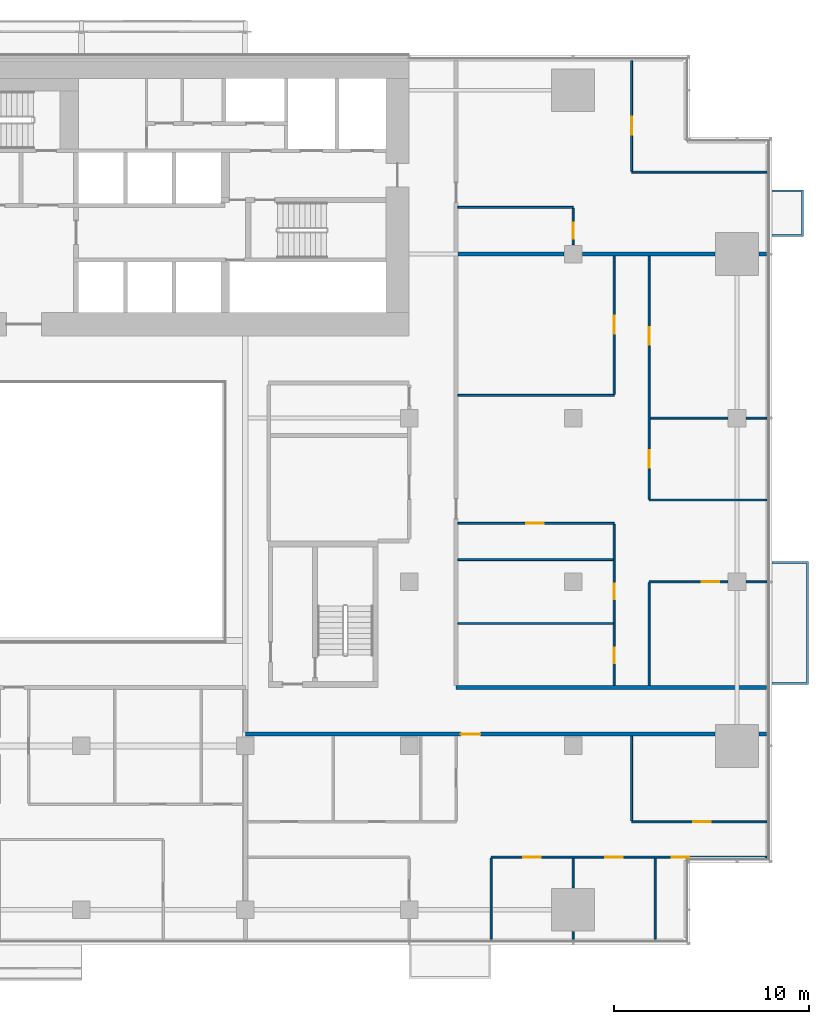
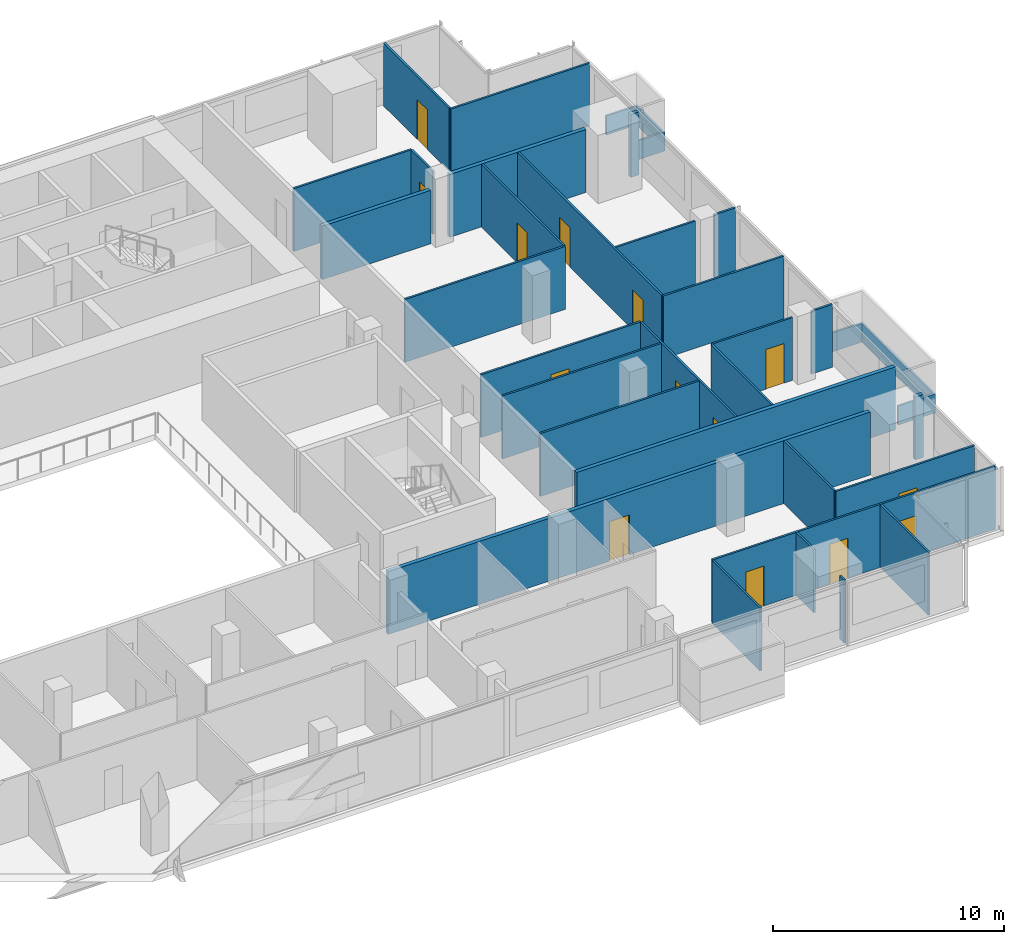
# One storey, part 23 of 26: 32 walls, 14 doors, 14 openings.
"""IFC4 building model written with IfcOpenShell, lengths in metres."""

from ifc_helpers import new_model, si_unit, direction, frame, frame_2d, origin, place, context, subcontext, project, spatial, polyline, rectangle, outline, extrude, material, layer, layer_set, type_object, element, fill, save


model = new_model("IFC4")

# Units and contexts
model_context = context("Model", 3, precision=1e-05, world=origin(), true_north=direction((0.0, 1.0)))
body_context = subcontext(model_context, "Body", "Model", "MODEL_VIEW")
ifc_project = project(units=[si_unit("LENGTHUNIT", "METRE"), si_unit("AREAUNIT", "SQUARE_METRE"), si_unit("VOLUMEUNIT", "CUBIC_METRE"), si_unit("PLANEANGLEUNIT", "RADIAN"), si_unit("MASSUNIT", "GRAM", prefix="KILO")], contexts=[model_context])

# Site, building, storey
site_placement = place(None, origin())
site = spatial("IfcSite", under=ifc_project, at=site_placement, CompositionType="ELEMENT")
building_placement = place(site_placement, origin())
building = spatial("IfcBuilding", under=site, at=building_placement, Name="Saffron Gate Tower", CompositionType="ELEMENT")
storey_placement = place(building_placement, frame((0.0, 0.0, 62.39990234375)))
storey = spatial("IfcBuildingStorey", under=building, at=storey_placement, Name="L14", CompositionType="ELEMENT", Elevation=62.39990234375)

# Wall, openings, doors
ifc_material_1 = material(Name="Plasterboard on steel studs", Category="steel")
ifc_layer_1 = layer(ifc_material_1, 0.10009765625)
ifc_layer_set_1 = layer_set([ifc_layer_1], Name="PW1 Partition 100")
wall_type_1 = type_object("IfcWallType", Name="PW1 Partition 100", PredefinedType="PARTITIONING", material=ifc_layer_set_1)
wall_1_placement = place(storey_placement, frame((126.919921875, 34.5, 0.0), z_axis=(0.0, 0.0, 1.0), x_axis=(-1.0, 0.0, 0.0)))
wall_1 = element("IfcWall", 1, at=wall_1_placement, inside=storey, type_object=wall_type_1, Name="Partition A3-3", PredefinedType="PARTITIONING", context=body_context, shape_type="SweptSolid", body=[
    extrude(rectangle(XDim=14.119873046875, YDim=0.10009765625, at=frame_2d((7.06005859375, 0.0))), origin(), (0.0, 0.0, 1.0), 3.320068359375),
])
opening_1_placement = place(wall_1_placement, frame((3.96630859375, 0.0, 0.0)))
opening_1 = element("IfcOpeningElement", 2, at=opening_1_placement, cuts=wall_1, Name="Opening A3-22", PredefinedType="OPENING", context=body_context, shape_type="SweptSolid", body=[
    extrude(rectangle(XDim=0.89990234375, YDim=2.10009765625, at=frame_2d((0.449951171875, 1.050048828125))), frame((0.0, 0.06005859375, 0.0), z_axis=(0.0, -1.0, 0.0), x_axis=(1.0, 0.0, 0.0)), (0.0, 0.0, 1.0), 0.1201171875),
])
opening_2_placement = place(wall_1_placement, frame((7.3701171875, 0.0, 0.0)))
opening_2 = element("IfcOpeningElement", 3, at=opening_2_placement, cuts=wall_1, Name="Opening A3-21", PredefinedType="OPENING", context=body_context, shape_type="SweptSolid", body=[
    extrude(rectangle(XDim=0.89990234375, YDim=2.10009765625, at=frame_2d((0.449951171875, 1.050048828125))), frame((0.0, 0.06005859375, 0.0), z_axis=(0.0, -1.0, 0.0), x_axis=(1.0, 0.0, 0.0)), (0.0, 0.0, 1.0), 0.1201171875),
])
opening_3_placement = place(wall_1_placement, frame((11.570068359375, 0.0, 0.0)))
opening_3 = element("IfcOpeningElement", 4, at=opening_3_placement, cuts=wall_1, Name="Opening A3-20", PredefinedType="OPENING", context=body_context, shape_type="SweptSolid", body=[
    extrude(rectangle(XDim=0.89990234375, YDim=2.10009765625, at=frame_2d((0.449951171875, 1.050048828125))), frame((0.0, 0.06005859375, 0.0), z_axis=(0.0, -1.0, 0.0), x_axis=(1.0, 0.0, 0.0)), (0.0, 0.0, 1.0), 0.1201171875),
])
ifc_material_2 = material(Name="Timber door set", Category="wood")
door_type_1 = type_object("IfcDoorType", Name="RD1 Room door 900x2100", OperationType="NOTDEFINED", PredefinedType="DOOR", material=ifc_material_2)
door_1_placement = place(opening_1_placement, origin())
door_1 = element("IfcDoor", 5, at=door_1_placement, inside=storey, type_object=door_type_1, Name="Door A3-22", OperationType="SINGLE_SWING_RIGHT", OverallHeight=2.10009765625, OverallWidth=0.89990234375, PredefinedType="DOOR", context=body_context, shape_type="SweptSolid", body=[
    extrude(rectangle(XDim=0.89990234375, YDim=2.10009765625, at=frame_2d((0.449951171875, 1.050048828125))), frame((0.0, 0.02490234375, 0.0), z_axis=(0.0, -1.0, 0.0), x_axis=(1.0, 0.0, 0.0)), (0.0, 0.0, 1.0), 0.050048828125),
])
fill(opening_1, door_1)
door_2_placement = place(opening_2_placement, origin())
door_2 = element("IfcDoor", 6, at=door_2_placement, inside=storey, type_object=door_type_1, Name="Door A3-21", OperationType="SINGLE_SWING_RIGHT", OverallHeight=2.10009765625, OverallWidth=0.89990234375, PredefinedType="DOOR", context=body_context, shape_type="SweptSolid", body=[
    extrude(rectangle(XDim=0.89990234375, YDim=2.10009765625, at=frame_2d((0.449951171875, 1.050048828125))), frame((0.0, 0.02490234375, 0.0), z_axis=(0.0, -1.0, 0.0), x_axis=(1.0, 0.0, 0.0)), (0.0, 0.0, 1.0), 0.050048828125),
])
fill(opening_2, door_2)
door_3_placement = place(opening_3_placement, origin())
door_3 = element("IfcDoor", 7, at=door_3_placement, inside=storey, type_object=door_type_1, Name="Door A3-20", OperationType="SINGLE_SWING_LEFT", OverallHeight=2.10009765625, OverallWidth=0.89990234375, PredefinedType="DOOR", context=body_context, shape_type="SweptSolid", body=[
    extrude(rectangle(XDim=0.89990234375, YDim=2.10009765625, at=frame_2d((0.449951171875, 1.050048828125))), frame((0.0, 0.02490234375, 0.0), z_axis=(0.0, -1.0, 0.0), x_axis=(1.0, 0.0, 0.0)), (0.0, 0.0, 1.0), 0.050048828125),
])
fill(opening_3, door_3)

# Wall, opening, door
wall_2_placement = place(storey_placement, frame((120.0, 36.300048828125, 0.0), z_axis=(0.0, 0.0, 1.0), x_axis=(1.0, 0.0, 0.0)))
wall_2 = element("IfcWall", 8, at=wall_2_placement, inside=storey, type_object=wall_type_1, Name="Partition A3-8", PredefinedType="PARTITIONING", context=body_context, shape_type="SweptSolid", body=[
    extrude(rectangle(XDim=6.919921875, YDim=0.10009765625, at=frame_2d((3.4599609375, 0.0))), origin(), (0.0, 0.0, 1.0), 3.320068359375),
])
opening_4_placement = place(wall_2_placement, frame((3.14990234375, 0.0, 0.0)))
opening_4 = element("IfcOpeningElement", 9, at=opening_4_placement, cuts=wall_2, Name="Opening A3-23", PredefinedType="OPENING", context=body_context, shape_type="SweptSolid", body=[
    extrude(rectangle(XDim=0.89990234375, YDim=2.10009765625, at=frame_2d((0.449951171875, 1.050048828125))), frame((0.0, 0.06005859375, 0.0), z_axis=(0.0, -1.0, 0.0), x_axis=(1.0, 0.0, 0.0)), (0.0, 0.0, 1.0), 0.1201171875),
])
door_4_placement = place(opening_4_placement, origin())
door_4 = element("IfcDoor", 10, at=door_4_placement, inside=storey, type_object=door_type_1, Name="Door A3-23", OperationType="SINGLE_SWING_RIGHT", OverallHeight=2.10009765625, OverallWidth=0.89990234375, PredefinedType="DOOR", context=body_context, shape_type="SweptSolid", body=[
    extrude(rectangle(XDim=0.89990234375, YDim=2.10009765625, at=frame_2d((0.449951171875, 1.050048828125))), frame((0.0, 0.02490234375, 0.0), z_axis=(0.0, -1.0, 0.0), x_axis=(1.0, 0.0, 0.0)), (0.0, 0.0, 1.0), 0.050048828125),
])
fill(opening_4, door_4)

# Wall
wall_3_placement = place(storey_placement, frame((111.10009765625, 46.4716796875, 0.0), z_axis=(0.0, 0.0, 1.0), x_axis=(1.0, 0.0, 0.0)))
element("IfcWall", 11, at=wall_3_placement, inside=storey, type_object=wall_type_1, Name="Partition A3-18", PredefinedType="PARTITIONING", context=body_context, shape_type="SweptSolid", body=[
    extrude(rectangle(XDim=7.949951171875, YDim=0.10009765625, at=frame_2d((3.97509765625, 0.0))), origin(), (0.0, 0.0, 1.0), 3.320068359375),
])

# Wall, opening, door
wall_4_placement = place(storey_placement, frame((124.929931640625, 48.60009765625, 0.0), z_axis=(0.0, 0.0, 1.0), x_axis=(-1.0, 0.0, 0.0)))
wall_4 = element("IfcWall", 12, at=wall_4_placement, inside=storey, type_object=wall_type_1, Name="Partition A3-21", PredefinedType="PARTITIONING", context=body_context, shape_type="SweptSolid", body=[
    extrude(rectangle(XDim=4.030029296875, YDim=0.10009765625, at=frame_2d((2.01513671875, 0.0))), origin(), (0.0, 0.0, 1.0), 3.320068359375),
])
opening_5_placement = place(wall_4_placement, frame((0.429931640625, 0.0, 0.0)))
opening_5 = element("IfcOpeningElement", 13, at=opening_5_placement, cuts=wall_4, Name="Opening A3-30", PredefinedType="OPENING", context=body_context, shape_type="SweptSolid", body=[
    extrude(rectangle(XDim=0.89990234375, YDim=2.10009765625, at=frame_2d((0.449951171875, 1.050048828125))), frame((0.0, 0.06005859375, 0.0), z_axis=(0.0, -1.0, 0.0), x_axis=(1.0, 0.0, 0.0)), (0.0, 0.0, 1.0), 0.1201171875),
])
door_5_placement = place(opening_5_placement, origin())
door_5 = element("IfcDoor", 14, at=door_5_placement, inside=storey, type_object=door_type_1, Name="Door A3-30", OperationType="SINGLE_SWING_LEFT", OverallHeight=2.10009765625, OverallWidth=0.89990234375, PredefinedType="DOOR", context=body_context, shape_type="SweptSolid", body=[
    extrude(rectangle(XDim=0.89990234375, YDim=2.10009765625, at=frame_2d((0.449951171875, 1.050048828125))), frame((0.0, 0.02490234375, 0.0), z_axis=(0.0, -1.0, 0.0), x_axis=(1.0, 0.0, 0.0)), (0.0, 0.0, 1.0), 0.050048828125),
])
fill(opening_5, door_5)

# Walls
wall_5_placement = place(storey_placement, frame((125.8701171875, 48.60009765625, 0.0), z_axis=(0.0, 0.0, 1.0), x_axis=(1.0, 0.0, 0.0)))
element("IfcWall", 15, at=wall_5_placement, inside=storey, type_object=wall_type_1, Name="Partition A3-22", PredefinedType="PARTITIONING", context=body_context, shape_type="SweptSolid", body=[
    extrude(rectangle(XDim=1.0498046875, YDim=0.10009765625, at=frame_2d((0.52490234375, 0.0))), origin(), (0.0, 0.0, 1.0), 3.320068359375),
])
wall_6_placement = place(storey_placement, frame((111.10009765625, 49.7431640625, 0.0), z_axis=(0.0, 0.0, 1.0), x_axis=(1.0, 0.0, 0.0)))
element("IfcWall", 16, at=wall_6_placement, inside=storey, type_object=wall_type_1, Name="Partition A3-25", PredefinedType="PARTITIONING", context=body_context, shape_type="SweptSolid", body=[
    extrude(rectangle(XDim=7.949951171875, YDim=0.10009765625, at=frame_2d((3.97509765625, 0.0))), origin(), (0.0, 0.0, 1.0), 3.320068359375),
])

# Wall, opening, door
wall_7_placement = place(storey_placement, frame((119.10009765625, 51.60009765625, 0.0), z_axis=(0.0, 0.0, 1.0), x_axis=(-1.0, 0.0, 0.0)))
wall_7 = element("IfcWall", 17, at=wall_7_placement, inside=storey, type_object=wall_type_1, Name="Partition A3-28", PredefinedType="PARTITIONING", context=body_context, shape_type="SweptSolid", body=[
    extrude(rectangle(XDim=8.0, YDim=0.10009765625, at=frame_2d((4.0, 0.0))), origin(), (0.0, 0.0, 1.0), 3.320068359375),
])
opening_6_placement = place(wall_7_placement, frame((3.60009765625, 0.0, 0.0)))
opening_6 = element("IfcOpeningElement", 18, at=opening_6_placement, cuts=wall_7, Name="Opening A3-34", PredefinedType="OPENING", context=body_context, shape_type="SweptSolid", body=[
    extrude(rectangle(XDim=0.89990234375, YDim=2.10009765625, at=frame_2d((0.449951171875, 1.050048828125))), frame((0.0, 0.06005859375, 0.0), z_axis=(0.0, -1.0, 0.0), x_axis=(1.0, 0.0, 0.0)), (0.0, 0.0, 1.0), 0.1201171875),
])
door_6_placement = place(opening_6_placement, origin())
door_6 = element("IfcDoor", 19, at=door_6_placement, inside=storey, type_object=door_type_1, Name="Door A3-34", OperationType="SINGLE_SWING_RIGHT", OverallHeight=2.10009765625, OverallWidth=0.89990234375, PredefinedType="DOOR", context=body_context, shape_type="SweptSolid", body=[
    extrude(rectangle(XDim=0.89990234375, YDim=2.10009765625, at=frame_2d((0.449951171875, 1.050048828125))), frame((0.0, 0.02490234375, 0.0), z_axis=(0.0, -1.0, 0.0), x_axis=(1.0, 0.0, 0.0)), (0.0, 0.0, 1.0), 0.050048828125),
])
fill(opening_6, door_6)

# Walls
wall_8_placement = place(storey_placement, frame((120.89990234375, 52.800048828125, 0.0), z_axis=(0.0, 0.0, 1.0), x_axis=(1.0, 0.0, 0.0)))
element("IfcWall", 20, at=wall_8_placement, inside=storey, type_object=wall_type_1, Name="Partition A3-30", PredefinedType="PARTITIONING", context=body_context, shape_type="SweptSolid", body=[
    extrude(rectangle(XDim=6.02001953125, YDim=0.10009765625, at=frame_2d((3.010009765625, 0.0))), origin(), (0.0, 0.0, 1.0), 3.320068359375),
])
wall_9_placement = place(storey_placement, frame((120.949951171875, 57.0, 0.0), z_axis=(0.0, 0.0, 1.0), x_axis=(1.0, 0.0, 0.0)))
element("IfcWall", 21, at=wall_9_placement, inside=storey, type_object=wall_type_1, Name="Partition A3-36", PredefinedType="PARTITIONING", context=body_context, shape_type="SweptSolid", body=[
    extrude(rectangle(XDim=3.97998046875, YDim=0.10009765625, at=frame_2d((1.989990234375, 0.0))), origin(), (0.0, 0.0, 1.0), 3.320068359375),
])
wall_10_placement = place(storey_placement, frame((125.8701171875, 57.0, 0.0), z_axis=(0.0, 0.0, 1.0), x_axis=(1.0, 0.0, 0.0)))
element("IfcWall", 22, at=wall_10_placement, inside=storey, type_object=wall_type_1, Name="Partition A3-37", PredefinedType="PARTITIONING", context=body_context, shape_type="SweptSolid", body=[
    extrude(rectangle(XDim=1.0498046875, YDim=0.10009765625, at=frame_2d((0.52490234375, 0.0))), origin(), (0.0, 0.0, 1.0), 3.320068359375),
])
wall_11_placement = place(storey_placement, frame((111.10009765625, 58.16162109375, 0.0), z_axis=(0.0, 0.0, 1.0), x_axis=(1.0, 0.0, 0.0)))
element("IfcWall", 23, at=wall_11_placement, inside=storey, type_object=wall_type_1, Name="Partition A3-38", PredefinedType="PARTITIONING", context=body_context, shape_type="SweptSolid", body=[
    extrude(rectangle(XDim=8.0, YDim=0.10009765625, at=frame_2d((4.0, 0.0))), origin(), (0.0, 0.0, 1.0), 3.320068359375),
])
wall_12_placement = place(storey_placement, frame((111.10009765625, 67.800048828125, 0.0), z_axis=(0.0, 0.0, 1.0), x_axis=(1.0, 0.0, 0.0)))
element("IfcWall", 24, at=wall_12_placement, inside=storey, type_object=wall_type_1, Name="Partition A3-47", PredefinedType="PARTITIONING", context=body_context, shape_type="SweptSolid", body=[
    extrude(rectangle(XDim=5.89990234375, YDim=0.10009765625, at=frame_2d((2.949951171875, 0.0))), origin(), (0.0, 0.0, 1.0), 3.320068359375),
])
wall_13_placement = place(storey_placement, frame((120.0, 69.60009765625, 0.0), z_axis=(0.0, 0.0, 1.0), x_axis=(1.0, 0.0, 0.0)))
element("IfcWall", 25, at=wall_13_placement, inside=storey, type_object=wall_type_1, Name="Partition A3-50", PredefinedType="PARTITIONING", context=body_context, shape_type="SweptSolid", body=[
    extrude(rectangle(XDim=6.919921875, YDim=0.10009765625, at=frame_2d((3.4599609375, 0.0))), origin(), (0.0, 0.0, 1.0), 3.320068359375),
])
wall_14_placement = place(storey_placement, frame((112.800048828125, 34.449951171875, 0.0), z_axis=(0.0, 0.0, 1.0), x_axis=(0.0, -1.0, 0.0)))
element("IfcWall", 26, at=wall_14_placement, inside=storey, type_object=wall_type_1, Name="Partition A3-94", PredefinedType="PARTITIONING", context=body_context, shape_type="SweptSolid", body=[
    extrude(rectangle(XDim=4.169921875, YDim=0.10009765625, at=frame_2d((2.0849609375, 0.0))), origin(), (0.0, 0.0, 1.0), 3.320068359375),
])
wall_15_placement = place(storey_placement, frame((117.0, 30.679931640625, 0.0), z_axis=(0.0, 0.0, 1.0), x_axis=(0.0, -1.0, 0.0)))
element("IfcWall", 27, at=wall_15_placement, inside=storey, type_object=wall_type_1, Name="Partition A3-95", PredefinedType="PARTITIONING", context=body_context, shape_type="SweptSolid", body=[
    extrude(rectangle(XDim=0.39990234375, YDim=0.10009765625, at=frame_2d((0.199951171875, 0.0))), origin(), (0.0, 0.0, 1.0), 3.320068359375),
])
wall_16_placement = place(storey_placement, frame((117.0, 34.449951171875, 0.0), z_axis=(0.0, 0.0, 1.0), x_axis=(0.0, -1.0, 0.0)))
element("IfcWall", 28, at=wall_16_placement, inside=storey, type_object=wall_type_1, Name="Partition A3-96", PredefinedType="PARTITIONING", context=body_context, shape_type="SweptSolid", body=[
    extrude(rectangle(XDim=1.530029296875, YDim=0.10009765625, at=frame_2d((0.76513671875, 0.0))), origin(), (0.0, 0.0, 1.0), 3.320068359375),
])

# Wall, opening, door
wall_17_placement = place(storey_placement, frame((117.0, 65.8701171875, 0.0), z_axis=(0.0, 0.0, 1.0), x_axis=(0.0, 1.0, 0.0)))
wall_17 = element("IfcWall", 29, at=wall_17_placement, inside=storey, type_object=wall_type_1, Name="Partition A3-97", PredefinedType="PARTITIONING", context=body_context, shape_type="SweptSolid", body=[
    extrude(rectangle(XDim=1.8798828125, YDim=0.10009765625, at=frame_2d((0.93994140625, 0.0))), origin(), (0.0, 0.0, 1.0), 3.320068359375),
])
opening_7_placement = place(wall_17_placement, frame((0.330078125, 0.0, 0.0)))
opening_7 = element("IfcOpeningElement", 30, at=opening_7_placement, cuts=wall_17, Name="Opening A3-48", PredefinedType="OPENING", context=body_context, shape_type="SweptSolid", body=[
    extrude(rectangle(XDim=0.800048828125, YDim=2.10009765625, at=frame_2d((0.39990234375, 1.050048828125))), frame((0.0, 0.06005859375, 0.0), z_axis=(0.0, -1.0, 0.0), x_axis=(1.0, 0.0, 0.0)), (0.0, 0.0, 1.0), 0.1201171875),
])
door_type_2 = type_object("IfcDoorType", Name="RD2 Bathroom door 800x2100", OperationType="NOTDEFINED", PredefinedType="DOOR", material=ifc_material_2)
door_7_placement = place(opening_7_placement, origin())
door_7 = element("IfcDoor", 31, at=door_7_placement, inside=storey, type_object=door_type_2, Name="Door A3-48", OperationType="SINGLE_SWING_LEFT", OverallHeight=2.10009765625, OverallWidth=0.800048828125, PredefinedType="DOOR", context=body_context, shape_type="SweptSolid", body=[
    extrude(rectangle(XDim=0.800048828125, YDim=2.10009765625, at=frame_2d((0.39990234375, 1.050048828125))), frame((0.0, 0.02490234375, 0.0), z_axis=(0.0, -1.0, 0.0), x_axis=(1.0, 0.0, 0.0)), (0.0, 0.0, 1.0), 0.050048828125),
])
fill(opening_7, door_7)

# Wall, openings, doors
wall_18_placement = place(storey_placement, frame((119.10009765625, 43.300048828125, 0.0), z_axis=(0.0, 0.0, 1.0), x_axis=(0.0, 1.0, 0.0)))
wall_18 = element("IfcWall", 32, at=wall_18_placement, inside=storey, type_object=wall_type_1, Name="Partition A3-98", PredefinedType="PARTITIONING", context=body_context, shape_type="SweptSolid", body=[
    extrude(rectangle(XDim=8.25, YDim=0.10009765625, at=frame_2d((4.125, 0.0))), origin(), (0.0, 0.0, 1.0), 3.320068359375),
])
opening_8_placement = place(wall_18_placement, frame((1.1357421875, 0.0, 0.0)))
opening_8 = element("IfcOpeningElement", 33, at=opening_8_placement, cuts=wall_18, Name="Opening A3-46", PredefinedType="OPENING", context=body_context, shape_type="SweptSolid", body=[
    extrude(rectangle(XDim=0.800048828125, YDim=2.10009765625, at=frame_2d((0.39990234375, 1.050048828125))), frame((0.0, 0.06005859375, 0.0), z_axis=(0.0, -1.0, 0.0), x_axis=(1.0, 0.0, 0.0)), (0.0, 0.0, 1.0), 0.1201171875),
])
opening_9_placement = place(wall_18_placement, frame((4.407470703125, 0.0, 0.0)))
opening_9 = element("IfcOpeningElement", 34, at=opening_9_placement, cuts=wall_18, Name="Opening A3-47", PredefinedType="OPENING", context=body_context, shape_type="SweptSolid", body=[
    extrude(rectangle(XDim=0.800048828125, YDim=2.10009765625, at=frame_2d((0.39990234375, 1.050048828125))), frame((0.0, 0.06005859375, 0.0), z_axis=(0.0, -1.0, 0.0), x_axis=(1.0, 0.0, 0.0)), (0.0, 0.0, 1.0), 0.1201171875),
])
door_8_placement = place(opening_8_placement, origin())
door_8 = element("IfcDoor", 35, at=door_8_placement, inside=storey, type_object=door_type_2, Name="Door A3-46", OperationType="SINGLE_SWING_LEFT", OverallHeight=2.10009765625, OverallWidth=0.800048828125, PredefinedType="DOOR", context=body_context, shape_type="SweptSolid", body=[
    extrude(rectangle(XDim=0.800048828125, YDim=2.10009765625, at=frame_2d((0.39990234375, 1.050048828125))), frame((0.0, 0.02490234375, 0.0), z_axis=(0.0, -1.0, 0.0), x_axis=(1.0, 0.0, 0.0)), (0.0, 0.0, 1.0), 0.050048828125),
])
fill(opening_8, door_8)
door_9_placement = place(opening_9_placement, origin())
door_9 = element("IfcDoor", 36, at=door_9_placement, inside=storey, type_object=door_type_2, Name="Door A3-47", OperationType="SINGLE_SWING_LEFT", OverallHeight=2.10009765625, OverallWidth=0.800048828125, PredefinedType="DOOR", context=body_context, shape_type="SweptSolid", body=[
    extrude(rectangle(XDim=0.800048828125, YDim=2.10009765625, at=frame_2d((0.39990234375, 1.050048828125))), frame((0.0, 0.02490234375, 0.0), z_axis=(0.0, -1.0, 0.0), x_axis=(1.0, 0.0, 0.0)), (0.0, 0.0, 1.0), 0.050048828125),
])
fill(opening_9, door_9)

# Wall, opening, door
wall_19_placement = place(storey_placement, frame((119.10009765625, 58.211669921875, 0.0), z_axis=(0.0, 0.0, 1.0), x_axis=(0.0, 1.0, 0.0)))
wall_19 = element("IfcWall", 37, at=wall_19_placement, inside=storey, type_object=wall_type_1, Name="Partition A3-99", PredefinedType="PARTITIONING", context=body_context, shape_type="SweptSolid", body=[
    extrude(rectangle(XDim=7.08837890625, YDim=0.10009765625, at=frame_2d((3.544189453125, 0.0))), origin(), (0.0, 0.0, 1.0), 3.320068359375),
])
opening_10_placement = place(wall_19_placement, frame((3.119140625, 0.0, 0.0)))
opening_10 = element("IfcOpeningElement", 38, at=opening_10_placement, cuts=wall_19, Name="Opening A3-33", PredefinedType="OPENING", context=body_context, shape_type="SweptSolid", body=[
    extrude(rectangle(XDim=0.89990234375, YDim=2.10009765625, at=frame_2d((0.449951171875, 1.050048828125))), frame((0.0, 0.06005859375, 0.0), z_axis=(0.0, -1.0, 0.0), x_axis=(1.0, 0.0, 0.0)), (0.0, 0.0, 1.0), 0.1201171875),
])
door_10_placement = place(opening_10_placement, origin())
door_10 = element("IfcDoor", 39, at=door_10_placement, inside=storey, type_object=door_type_1, Name="Door A3-33", OperationType="SINGLE_SWING_RIGHT", OverallHeight=2.10009765625, OverallWidth=0.89990234375, PredefinedType="DOOR", context=body_context, shape_type="SweptSolid", body=[
    extrude(rectangle(XDim=0.89990234375, YDim=2.10009765625, at=frame_2d((0.449951171875, 1.050048828125))), frame((0.0, 0.02490234375, 0.0), z_axis=(0.0, -1.0, 0.0), x_axis=(1.0, 0.0, 0.0)), (0.0, 0.0, 1.0), 0.050048828125),
])
fill(opening_10, door_10)

# Wall
wall_20_placement = place(storey_placement, frame((120.0, 40.699951171875, 0.0), z_axis=(0.0, 0.0, 1.0), x_axis=(0.0, -1.0, 0.0)))
element("IfcWall", 40, at=wall_20_placement, inside=storey, type_object=wall_type_1, Name="Partition A3-100", PredefinedType="PARTITIONING", context=body_context, shape_type="SweptSolid", body=[
    extrude(rectangle(XDim=4.349853515625, YDim=0.10009765625, at=frame_2d((2.1748046875, 0.0))), origin(), (0.0, 0.0, 1.0), 3.320068359375),
])

# Wall, opening, door
wall_21_placement = place(storey_placement, frame((120.0, 75.320068359375, 0.0), z_axis=(0.0, 0.0, 1.0), x_axis=(0.0, -1.0, 0.0)))
wall_21 = element("IfcWall", 41, at=wall_21_placement, inside=storey, type_object=wall_type_1, Name="Partition A3-101", PredefinedType="PARTITIONING", context=body_context, shape_type="SweptSolid", body=[
    extrude(rectangle(XDim=5.670166015625, YDim=0.10009765625, at=frame_2d((2.8349609375, 0.0))), origin(), (0.0, 0.0, 1.0), 3.320068359375),
])
opening_11_placement = place(wall_21_placement, frame((2.89111328125, 0.0, 0.0)))
opening_11 = element("IfcOpeningElement", 42, at=opening_11_placement, cuts=wall_21, Name="Opening A3-35", PredefinedType="OPENING", context=body_context, shape_type="SweptSolid", body=[
    extrude(rectangle(XDim=0.89990234375, YDim=2.10009765625, at=frame_2d((0.449951171875, 1.050048828125))), frame((0.0, 0.06005859375, 0.0), z_axis=(0.0, -1.0, 0.0), x_axis=(1.0, 0.0, 0.0)), (0.0, 0.0, 1.0), 0.1201171875),
])
door_11_placement = place(opening_11_placement, origin())
door_11 = element("IfcDoor", 43, at=door_11_placement, inside=storey, type_object=door_type_1, Name="Door A3-35", OperationType="SINGLE_SWING_RIGHT", OverallHeight=2.10009765625, OverallWidth=0.89990234375, PredefinedType="DOOR", context=body_context, shape_type="SweptSolid", body=[
    extrude(rectangle(XDim=0.89990234375, YDim=2.10009765625, at=frame_2d((0.449951171875, 1.050048828125))), frame((0.0, 0.02490234375, 0.0), z_axis=(0.0, -1.0, 0.0), x_axis=(1.0, 0.0, 0.0)), (0.0, 0.0, 1.0), 0.050048828125),
])
fill(opening_11, door_11)

# Wall
wall_22_placement = place(storey_placement, frame((120.89990234375, 48.550048828125, 0.0), z_axis=(0.0, 0.0, 1.0), x_axis=(0.0, -1.0, 0.0)))
element("IfcWall", 44, at=wall_22_placement, inside=storey, type_object=wall_type_1, Name="Partition A3-102", PredefinedType="PARTITIONING", context=body_context, shape_type="SweptSolid", body=[
    extrude(rectangle(XDim=5.25, YDim=0.10009765625, at=frame_2d((2.625, 0.0))), origin(), (0.0, 0.0, 1.0), 3.320068359375),
])

# Wall, openings, doors
wall_23_placement = place(storey_placement, frame((120.89990234375, 65.300048828125, 0.0), z_axis=(0.0, 0.0, 1.0), x_axis=(0.0, -1.0, 0.0)))
wall_23 = element("IfcWall", 45, at=wall_23_placement, inside=storey, type_object=wall_type_1, Name="Partition A3-103", PredefinedType="PARTITIONING", context=body_context, shape_type="SweptSolid", body=[
    extrude(rectangle(XDim=12.449951171875, YDim=0.10009765625, at=frame_2d((6.22509765625, 0.0))), origin(), (0.0, 0.0, 1.0), 3.320068359375),
])
opening_12_placement = place(wall_23_placement, frame((3.64990234375, 0.0, 0.0)))
opening_12 = element("IfcOpeningElement", 46, at=opening_12_placement, cuts=wall_23, Name="Opening A3-32", PredefinedType="OPENING", context=body_context, shape_type="SweptSolid", body=[
    extrude(rectangle(XDim=0.89990234375, YDim=2.10009765625, at=frame_2d((0.449951171875, 1.050048828125))), frame((0.0, 0.06005859375, 0.0), z_axis=(0.0, -1.0, 0.0), x_axis=(1.0, 0.0, 0.0)), (0.0, 0.0, 1.0), 0.1201171875),
])
opening_13_placement = place(wall_23_placement, frame((9.949951171875, 0.0, 0.0)))
opening_13 = element("IfcOpeningElement", 47, at=opening_13_placement, cuts=wall_23, Name="Opening A3-31", PredefinedType="OPENING", context=body_context, shape_type="SweptSolid", body=[
    extrude(rectangle(XDim=0.89990234375, YDim=2.10009765625, at=frame_2d((0.449951171875, 1.050048828125))), frame((0.0, 0.06005859375, 0.0), z_axis=(0.0, -1.0, 0.0), x_axis=(1.0, 0.0, 0.0)), (0.0, 0.0, 1.0), 0.1201171875),
])
door_12_placement = place(opening_12_placement, origin())
door_12 = element("IfcDoor", 48, at=door_12_placement, inside=storey, type_object=door_type_1, Name="Door A3-32", OperationType="SINGLE_SWING_LEFT", OverallHeight=2.10009765625, OverallWidth=0.89990234375, PredefinedType="DOOR", context=body_context, shape_type="SweptSolid", body=[
    extrude(rectangle(XDim=0.89990234375, YDim=2.10009765625, at=frame_2d((0.449951171875, 1.050048828125))), frame((0.0, 0.02490234375, 0.0), z_axis=(0.0, -1.0, 0.0), x_axis=(1.0, 0.0, 0.0)), (0.0, 0.0, 1.0), 0.050048828125),
])
fill(opening_12, door_12)
door_13_placement = place(opening_13_placement, origin())
door_13 = element("IfcDoor", 49, at=door_13_placement, inside=storey, type_object=door_type_1, Name="Door A3-31", OperationType="SINGLE_SWING_RIGHT", OverallHeight=2.10009765625, OverallWidth=0.89990234375, PredefinedType="DOOR", context=body_context, shape_type="SweptSolid", body=[
    extrude(rectangle(XDim=0.89990234375, YDim=2.10009765625, at=frame_2d((0.449951171875, 1.050048828125))), frame((0.0, 0.02490234375, 0.0), z_axis=(0.0, -1.0, 0.0), x_axis=(1.0, 0.0, 0.0)), (0.0, 0.0, 1.0), 0.050048828125),
])
fill(opening_13, door_13)

# Walls
wall_24_placement = place(storey_placement, frame((121.199951171875, 34.449951171875, 0.0), z_axis=(0.0, 0.0, 1.0), x_axis=(0.0, -1.0, 0.0)))
element("IfcWall", 50, at=wall_24_placement, inside=storey, type_object=wall_type_1, Name="Partition A3-104", PredefinedType="PARTITIONING", context=body_context, shape_type="SweptSolid", body=[
    extrude(rectangle(XDim=4.169921875, YDim=0.10009765625, at=frame_2d((2.0849609375, 0.0))), origin(), (0.0, 0.0, 1.0), 3.320068359375),
])
ifc_material_3 = material(Name="Clay brick masonry, rendered", Category="masonry")
ifc_layer_2 = layer(ifc_material_3, 0.199951171875)
ifc_layer_set_2 = layer_set([ifc_layer_2], Name="PW2 Demising wall 200")
wall_type_2 = type_object("IfcWallType", Name="PW2 Demising wall 200", PredefinedType="PARTITIONING", material=ifc_layer_set_2)
wall_25_placement = place(storey_placement, frame((111.10009765625, 65.39990234375, 0.0), z_axis=(0.0, 0.0, 1.0), x_axis=(1.0, 0.0, 0.0)))
element("IfcWall", 51, at=wall_25_placement, inside=storey, type_object=wall_type_2, Name="Wall A3-44", PredefinedType="PARTITIONING", context=body_context, shape_type="SweptSolid", body=[
    extrude(rectangle(XDim=5.429931640625, YDim=0.199951171875, at=frame_2d((2.71484375, 0.0))), origin(), (0.0, 0.0, 1.0), 2.820068359375),
])
wall_26_placement = place(storey_placement, frame((117.469970703125, 65.39990234375, 0.0), z_axis=(0.0, 0.0, 1.0), x_axis=(1.0, 0.0, 0.0)))
element("IfcWall", 52, at=wall_26_placement, inside=storey, type_object=wall_type_2, Name="Wall A3-45", PredefinedType="PARTITIONING", context=body_context, shape_type="SweptSolid", body=[
    extrude(rectangle(XDim=6.81005859375, YDim=0.199951171875, at=frame_2d((3.405029296875, 0.0))), origin(), (0.0, 0.0, 1.0), 3.320068359375),
])
wall_27_placement = place(storey_placement, frame((126.52001953125, 65.39990234375, 0.0), z_axis=(0.0, 0.0, 1.0), x_axis=(1.0, 0.0, 0.0)))
element("IfcWall", 53, at=wall_27_placement, inside=storey, type_object=wall_type_2, Name="Wall A3-46", PredefinedType="PARTITIONING", context=body_context, shape_type="SweptSolid", body=[
    extrude(rectangle(XDim=0.39990234375, YDim=0.199951171875, at=frame_2d((0.199951171875, 0.0))), origin(), (0.0, 0.0, 1.0), 3.320068359375),
])

# Wall, opening, door
ifc_layer_3 = layer(ifc_material_3, 0.199951171875)
ifc_layer_set_3 = layer_set([ifc_layer_3], Name="PW3 Corridor wall 200")
wall_type_3 = type_object("IfcWallType", Name="PW3 Corridor wall 200", PredefinedType="PARTITIONING", material=ifc_layer_set_3)
wall_28_placement = place(storey_placement, frame((124.280029296875, 40.800048828125, 0.0), z_axis=(0.0, 0.0, 1.0), x_axis=(-1.0, 0.0, 0.0)))
wall_28 = element("IfcWall", 54, at=wall_28_placement, inside=storey, type_object=wall_type_3, Name="Wall A3-13", PredefinedType="PARTITIONING", context=body_context, shape_type="SweptSolid", body=[
    extrude(rectangle(XDim=24.080078125, YDim=0.199951171875, at=frame_2d((12.0400390625, 0.0))), origin(), (0.0, 0.0, 1.0), 3.320068359375),
])
opening_14_placement = place(wall_28_placement, frame((12.030029296875, 0.0, 0.0)))
opening_14 = element("IfcOpeningElement", 55, at=opening_14_placement, cuts=wall_28, Name="Opening A3-3", PredefinedType="OPENING", context=body_context, shape_type="SweptSolid", body=[
    extrude(rectangle(XDim=1.0, YDim=2.10009765625, at=frame_2d((0.5, 1.050048828125))), frame((0.0, 0.10986328125, 0.0), z_axis=(0.0, -1.0, 0.0), x_axis=(1.0, 0.0, 0.0)), (0.0, 0.0, 1.0), 0.219970703125),
])
ifc_material_4 = material(Name="Timber fire door set", Category="wood")
door_type_3 = type_object("IfcDoorType", Name="FD1 Flat entry door 1000x2100", OperationType="NOTDEFINED", PredefinedType="DOOR", material=ifc_material_4)
door_14_placement = place(opening_14_placement, origin())
door_14 = element("IfcDoor", 56, at=door_14_placement, inside=storey, type_object=door_type_3, Name="Door A3-3", OperationType="SINGLE_SWING_RIGHT", OverallHeight=2.10009765625, OverallWidth=1.0, PredefinedType="DOOR", context=body_context, shape_type="SweptSolid", body=[
    extrude(rectangle(XDim=1.0, YDim=2.10009765625, at=frame_2d((0.5, 1.050048828125))), frame((0.0, 0.02490234375, 0.0), z_axis=(0.0, -1.0, 0.0), x_axis=(1.0, 0.0, 0.0)), (0.0, 0.0, 1.0), 0.050048828125),
])
fill(opening_14, door_14)

# Walls
wall_29_placement = place(storey_placement, frame((126.52001953125, 40.800048828125, 0.0), z_axis=(0.0, 0.0, 1.0), x_axis=(1.0, 0.0, 0.0)))
element("IfcWall", 57, at=wall_29_placement, inside=storey, type_object=wall_type_3, Name="Wall A3-14", PredefinedType="PARTITIONING", context=body_context, shape_type="SweptSolid", body=[
    extrude(rectangle(XDim=0.39990234375, YDim=0.199951171875, at=frame_2d((0.199951171875, 0.0))), origin(), (0.0, 0.0, 1.0), 3.320068359375),
])
wall_30_placement = place(storey_placement, frame((111.0, 43.199951171875, 0.0), z_axis=(0.0, 0.0, 1.0), x_axis=(1.0, 0.0, 0.0)))
element("IfcWall", 58, at=wall_30_placement, inside=storey, type_object=wall_type_3, Name="Wall A3-17", PredefinedType="PARTITIONING", context=body_context, shape_type="SweptSolid", body=[
    extrude(rectangle(XDim=15.919921875, YDim=0.199951171875, at=frame_2d((7.9599609375, 0.0))), origin(), (0.0, 0.0, 1.0), 3.320068359375),
])
ifc_material_5 = material(Name="Rendered insulated panel, white")
ifc_layer_4 = layer(ifc_material_5, 0.10009765625)
ifc_layer_set_4 = layer_set([ifc_layer_4], Name="WB3 box parapet white")
wall_type_4 = type_object("IfcWallType", Name="WB3 box parapet white", PredefinedType="SOLIDWALL", material=ifc_layer_set_4)
wall_31_placement = place(storey_placement, origin())
element("IfcWall", 59, at=wall_31_placement, inside=storey, type_object=wall_type_4, Name="WINDOW BOX parapet", PredefinedType="SOLIDWALL", context=body_context, shape_type="SweptSolid", body=[
    extrude(outline(polyline([(127.199951171875, 43.35009765625), (127.199951171875, 43.449951171875), (128.967041015625, 43.449951171875), (128.967041015625, 49.550048828125), (127.199951171875, 49.550048828125), (127.199951171875, 49.64990234375), (129.06689453125, 49.64990234375), (129.06689453125, 43.35009765625), (127.199951171875, 43.35009765625)])), origin(), (0.0, 0.0, 1.0), 1.0),
])
wall_32_placement = place(storey_placement, origin())
element("IfcWall", 60, at=wall_32_placement, inside=storey, type_object=wall_type_4, Name="WINDOW BOX parapet", PredefinedType="SOLIDWALL", context=body_context, shape_type="SweptSolid", body=[
    extrude(outline(polyline([(127.199951171875, 66.300048828125), (127.199951171875, 66.39990234375), (128.699951171875, 66.39990234375), (128.699951171875, 68.60009765625), (127.199951171875, 68.60009765625), (127.199951171875, 68.699951171875), (128.800048828125, 68.699951171875), (128.800048828125, 66.300048828125), (127.199951171875, 66.300048828125)])), origin(), (0.0, 0.0, 1.0), 1.0),
])

save(model, "model.ifc")
